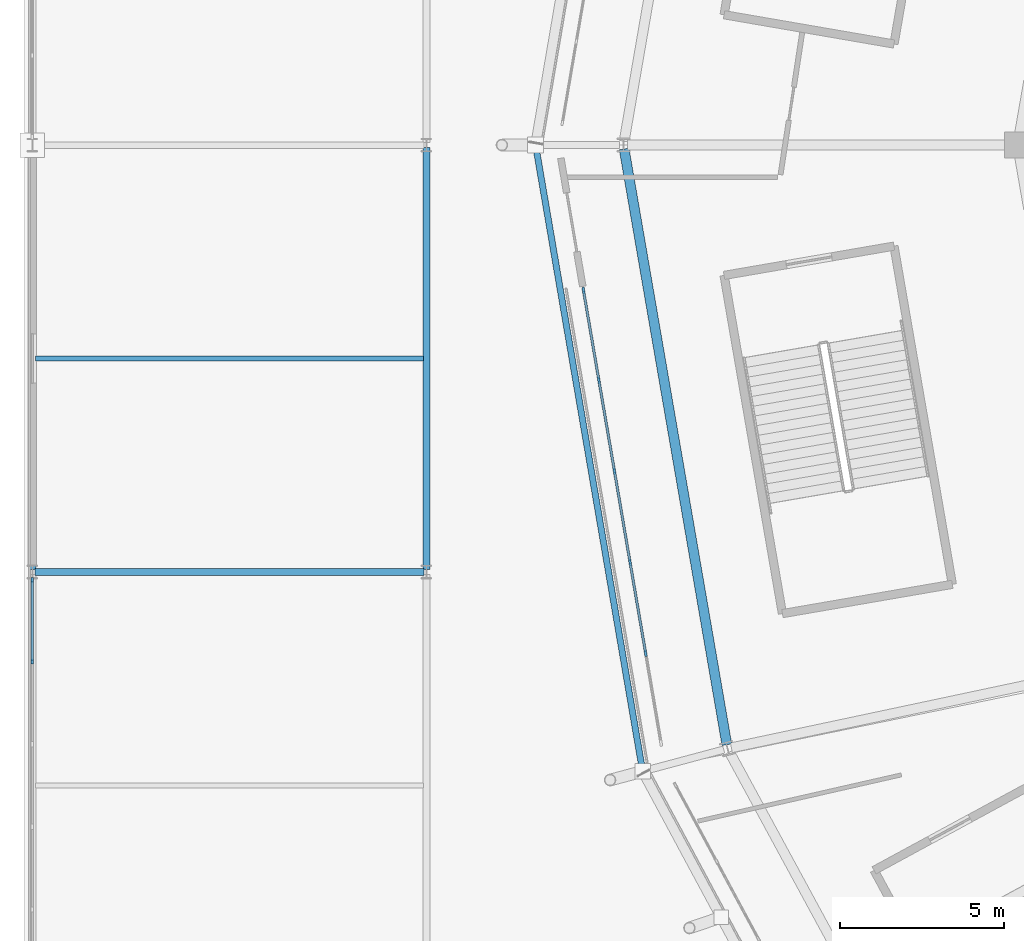
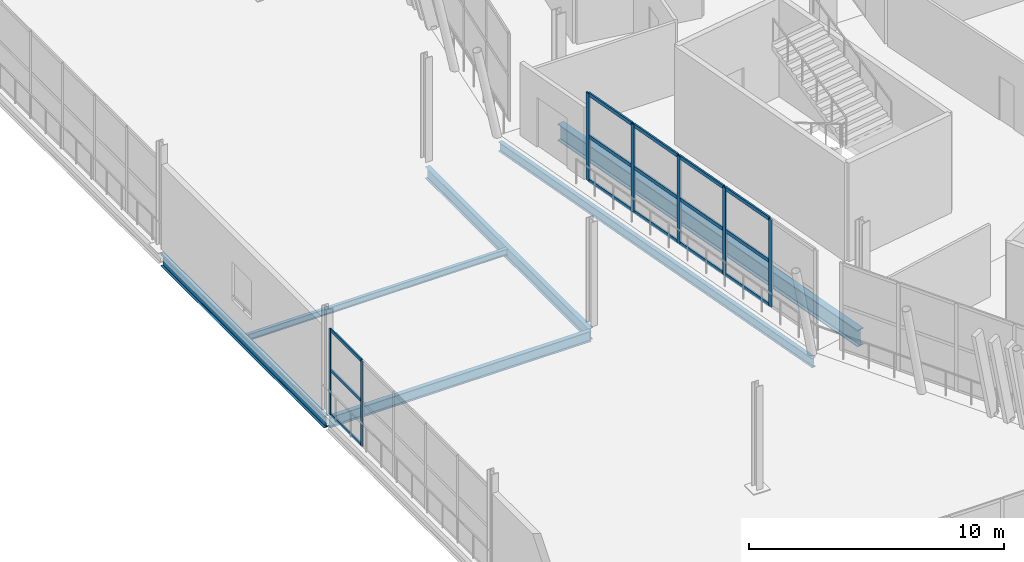
# One storey, part 39 of 179: 22 members, 6 beams, 2 elements without a shape of their own.
"""IFC4 building model written with IfcOpenShell, lengths in metres."""

import ifcopenshell
import ifcopenshell.guid

model = None  # the IFC model being written
_history = None  # IfcOwnerHistory: only IFC2X3 demands one
_inside = {}  # id of a spatial element -> (the spatial element, [elements in it])
_under = {}  # id of a project, library or spatial element -> (it, [spatial elements below it])
_declared = {}  # id of a project -> (the project, [libraries it declares])
_typed = {}  # id of a type object -> (the type object, [elements of that type])
_made_of = {}  # id of a material, layer set ... -> (it, [elements and type objects made of it])


def new_model(schema):
    """Start an empty IFC model of exactly this schema.

    Asked for "IFC4X3", IfcOpenShell would pick the latest addendum, in which some entities
    have other attributes; the version numbers below select the first issue.
    IFC2X3 requires an IfcOwnerHistory on every rooted entity: one is made here for all.
    """
    global model, _history
    if schema == "IFC4X3":
        model = ifcopenshell.file(schema_version=(4, 3, 0, 0))
    else:
        model = ifcopenshell.file(schema=schema)
    _inside.clear()
    _under.clear()
    _declared.clear()
    _typed.clear()
    _made_of.clear()
    _history = None
    if model.schema == "IFC2X3":
        org = make("IfcOrganization", Name="unknown")
        user = make(
            "IfcPersonAndOrganization",
            ThePerson=make("IfcPerson", FamilyName="unknown"),
            TheOrganization=org,
        )
        app = make(
            "IfcApplication",
            ApplicationDeveloper=org,
            Version="unknown",
            ApplicationFullName="unknown",
            ApplicationIdentifier="unknown",
        )
        _history = make(
            "IfcOwnerHistory",
            OwningUser=user,
            OwningApplication=app,
            ChangeAction="ADDED",
            CreationDate=0,
        )
    return model


def make(cls, **values):
    """One entity of the class cls with the attributes given. An attribute that is None is left unset."""
    return model.create_entity(
        cls, **{name: value for name, value in values.items() if value is not None}
    )


def rooted(cls, **values):
    """An entity with a GlobalId (a new one), such as an element, a storey or a relation."""
    return make(cls, GlobalId=ifcopenshell.guid.new(), OwnerHistory=_history, **values)


def si_unit(unit_type, name, prefix=None):
    """IfcSIUnit, for example si_unit("LENGTHUNIT", "METRE", prefix="MILLI")."""
    return make("IfcSIUnit", UnitType=unit_type, Prefix=prefix, Name=name)


def assignment(units):
    """IfcUnitAssignment: the units of a project."""
    return None if units is None else make("IfcUnitAssignment", Units=units)


def point(xyz):
    """IfcCartesianPoint."""
    return None if xyz is None else make("IfcCartesianPoint", Coordinates=xyz)


def direction(xyz):
    """IfcDirection."""
    return None if xyz is None else make("IfcDirection", DirectionRatios=xyz)


def frame(location, z_axis=None, x_axis=None):
    """IfcAxis2Placement3D, a coordinate frame: its origin and axes. An axis left out is left unset."""
    return make(
        "IfcAxis2Placement3D",
        Location=point(location),
        Axis=direction(z_axis),
        RefDirection=direction(x_axis),
    )


def frame_2d(location, x_axis=None):
    """IfcAxis2Placement2D, a coordinate frame in the plane: its origin and x axis."""
    return make(
        "IfcAxis2Placement2D", Location=point(location), RefDirection=direction(x_axis)
    )


def origin():
    """The frame at (0, 0, 0) with its axes left unset."""
    return frame((0.0, 0.0, 0.0))


def origin_2d():
    """The frame at (0, 0) in the plane with its x axis left unset."""
    return frame_2d((0.0, 0.0))


def place(relative_to, where):
    """IfcLocalPlacement: puts the frame where relative to a parent placement (None: the world)."""
    return make(
        "IfcLocalPlacement", PlacementRelTo=relative_to, RelativePlacement=where
    )


def context(
    kind, dimensions, precision=None, world=None, true_north=None, identifier=None
):
    """IfcGeometricRepresentationContext, for example the 3D "Model" context."""
    return make(
        "IfcGeometricRepresentationContext",
        ContextIdentifier=identifier,
        ContextType=kind,
        CoordinateSpaceDimension=dimensions,
        Precision=precision,
        WorldCoordinateSystem=world,
        TrueNorth=true_north,
    )


def subcontext(parent, identifier, kind, view, scale=None):
    """IfcGeometricRepresentationSubContext, for example "Body" below "Model"."""
    return make(
        "IfcGeometricRepresentationSubContext",
        ContextIdentifier=identifier,
        ContextType=kind,
        ParentContext=parent,
        TargetScale=scale,
        TargetView=view,
    )


def project(units=None, contexts=None):
    """IfcProject with its units and contexts."""
    return rooted(
        "IfcProject",
        Name="project",
        RepresentationContexts=contexts,
        UnitsInContext=assignment(units),
    )


def spatial(cls, under=None, at=None, **own):
    """A site, building, storey or space (cls), placed at a placement, below another one or the project."""
    s = rooted(cls, ObjectPlacement=at, **own)
    if under is not None:
        _under.setdefault(under.id(), (under, []))[1].append(s)
    return s


def profile(cls, at=None, kind="AREA", **sizes):
    """A parametric profile (cls). Its sizes go by their IFC names, for example OverallWidth=200.0."""
    return make(cls, ProfileType=kind, Position=at, **sizes)


def rectangle(**sizes):
    """IfcRectangleProfileDef."""
    return profile("IfcRectangleProfileDef", **sizes)


def i_section(**sizes):
    """IfcIShapeProfileDef."""
    return profile("IfcIShapeProfileDef", **sizes)


def extrude(swept, where, along, depth):
    """IfcExtrudedAreaSolid: the profile swept, set in the frame where, extruded along a direction by depth."""
    return make(
        "IfcExtrudedAreaSolid",
        SweptArea=swept,
        Position=where,
        ExtrudedDirection=direction(along),
        Depth=depth,
    )


def shape(context_of_items, identifier, shape_type, items):
    """IfcShapeRepresentation: the items that make up one representation, for example the "Body"."""
    return make(
        "IfcShapeRepresentation",
        ContextOfItems=context_of_items,
        RepresentationIdentifier=identifier,
        RepresentationType=shape_type,
        Items=items,
    )


def material(Name=None, Category=None):
    """IfcMaterial."""
    return make("IfcMaterial", Name=Name, Category=Category)


def material_profile(
    of_material, cross_section, Name=None, Category=None, Priority=None
):
    """IfcMaterialProfile: a cross section and its material."""
    return make(
        "IfcMaterialProfile",
        Name=Name,
        Material=of_material,
        Profile=cross_section,
        Priority=Priority,
        Category=Category,
    )


def profile_set(profiles, Name=None, composite=None):
    """IfcMaterialProfileSet."""
    return make(
        "IfcMaterialProfileSet",
        Name=Name,
        MaterialProfiles=profiles,
        CompositeProfile=composite,
    )


def made_of(thing, what):
    """Note that an element or type object is made of a material, layer set ...; save() writes the relation."""
    if what is not None:
        _made_of.setdefault(what.id(), (what, []))[1].append(thing)
    return thing


def type_object(cls, material=None, **own):
    """A type object (cls), such as IfcWallType, which elements share."""
    return made_of(rooted(cls, **own), material)


def element(
    cls,
    number,
    at=None,
    inside=None,
    cuts=None,
    type_object=None,
    material=None,
    context=None,
    identifier="Body",
    shape_type=None,
    held_by="IfcProductDefinitionShape",
    body=None,
    shapes=None,
    **own,
):
    """One element of the class cls, such as IfcWall. Its Tag is "e" and its number.

    at: its placement. inside: the storey or other place that contains it. cuts: it is an
    opening in that element (IfcRelVoidsElement). A single representation is given by context,
    identifier, shape_type and body (its items); several are given by shapes. held_by: the class
    of the entity that holds the representations. save() writes the other relations.
    """
    e = rooted(cls, Tag="e%d" % number, ObjectPlacement=at, **own)
    if body is not None:
        shapes = [shape(context, identifier, shape_type, body)]
    if shapes is not None:
        e.Representation = make(held_by, Representations=shapes)
    if inside is not None:
        _inside.setdefault(inside.id(), (inside, []))[1].append(e)
    if cuts is not None:
        rooted(
            "IfcRelVoidsElement", RelatingBuildingElement=cuts, RelatedOpeningElement=e
        )
    if type_object is not None:
        _typed.setdefault(type_object.id(), (type_object, []))[1].append(e)
    return made_of(e, material)


def aggregate(whole, parts):
    """IfcRelAggregates: a whole, such as a stair, and the parts it consists of."""
    return rooted("IfcRelAggregates", RelatingObject=whole, RelatedObjects=parts)


def save(model, path):
    """Write the relations noted so far, then the file.

    IfcRelAggregates (storeys below a building ...), IfcRelContainedInSpatialStructure (elements
    in a storey), IfcRelDefinesByType, IfcRelAssociatesMaterial and IfcRelDeclares: one each for
    every whole, place, type object, material and project.
    """
    for whole, parts in _under.values():
        aggregate(whole, parts)
    for where, things in _inside.values():
        rooted(
            "IfcRelContainedInSpatialStructure",
            RelatedElements=things,
            RelatingStructure=where,
        )
    for kind, things in _typed.values():
        rooted("IfcRelDefinesByType", RelatedObjects=things, RelatingType=kind)
    for what, things in _made_of.values():
        rooted("IfcRelAssociatesMaterial", RelatedObjects=things, RelatingMaterial=what)
    for by, libraries in _declared.values():
        rooted("IfcRelDeclares", RelatingContext=by, RelatedDefinitions=libraries)
    model.write(path)


model = new_model("IFC4")

# Units and contexts
model_context = context("Model", 3, precision=1e-05, world=origin(), true_north=direction((0.0, 1.0)))
body_context = subcontext(model_context, "Body", "Model", "MODEL_VIEW")
ifc_project = project(units=[si_unit("LENGTHUNIT", "METRE"), si_unit("AREAUNIT", "SQUARE_METRE"), si_unit("VOLUMEUNIT", "CUBIC_METRE"), si_unit("PLANEANGLEUNIT", "RADIAN"), si_unit("MASSUNIT", "GRAM", prefix="KILO")], contexts=[model_context])

# Site, building, storey
site_placement = place(None, origin())
site = spatial("IfcSite", under=ifc_project, at=site_placement, CompositionType="ELEMENT")
building_placement = place(site_placement, origin())
building = spatial("IfcBuilding", under=site, at=building_placement, Name="Zlatoyarsky Gate Stadium", CompositionType="ELEMENT")
storey_placement = place(building_placement, frame((0.0, 0.0, 10.60009765625)))
storey = spatial("IfcBuildingStorey", under=building, at=storey_placement, Name="L02", CompositionType="ELEMENT", Elevation=10.60009765625)

# Curtain wall, members
ifc_material_1 = material(Name="Thermally broken anodised aluminium curtain wall", Category="aluminium")
curtain_wall_type_1 = type_object("IfcCurtainWallType", Name="MONUMENTAL ARCHED GATE GLAZING UPPER", PredefinedType="USERDEFINED", material=ifc_material_1)
curtain_wall_1_placement = place(storey_placement, origin())
curtain_wall_1 = element("IfcCurtainWall", 1, at=curtain_wall_1_placement, inside=storey, type_object=curtain_wall_type_1, Name="Curtain wall CW-L02-12", ObjectType="ARCHED GATE GLAZING", PredefinedType="USERDEFINED")
ifc_material_2 = material(Name="Anodised aluminium 6063-T6", Category="aluminium")
ifc_material_profile_1 = material_profile(ifc_material_2, rectangle(XDim=0.074951171875, YDim=0.18994140625, at=origin_2d()), Name="ALU 75X190")
ifc_profile_set_1 = profile_set([ifc_material_profile_1], Name="Anodised aluminium 6063-T6")
member_type_1 = type_object("IfcMemberType", Name="ALUMINIUM GATE MULLION 75X190", PredefinedType="MULLION", material=ifc_profile_set_1)
member_1_placement = place(storey_placement, frame((16.781982421875, 75.576904296875, 0.0), z_axis=(0.0, 0.0, 1.0), x_axis=(0.985636901617, 0.168878353177, 0.0)))
member_1 = element("IfcMember", 2, at=member_1_placement, type_object=member_type_1, Name="CW-AG2 mullion 1", PredefinedType="MULLION", context=body_context, shape_type="SweptSolid", body=[
    extrude(rectangle(XDim=0.074951171875, YDim=0.18994140625, at=origin_2d()), origin(), (0.0, 0.0, 1.0), 4.199951171875),
])
member_2_placement = place(storey_placement, frame((17.25048828125, 72.841796875, 0.0), z_axis=(0.0, 0.0, 1.0), x_axis=(0.985636901617, 0.168878353177, 0.0)))
member_2 = element("IfcMember", 3, at=member_2_placement, type_object=member_type_1, Name="CW-AG2 mullion 2", PredefinedType="MULLION", context=body_context, shape_type="SweptSolid", body=[
    extrude(rectangle(XDim=0.074951171875, YDim=0.18994140625, at=origin_2d()), origin(), (0.0, 0.0, 1.0), 4.199951171875),
])
member_3_placement = place(storey_placement, frame((17.7255859375, 70.069580078125, 0.0), z_axis=(0.0, 0.0, 1.0), x_axis=(0.985636901617, 0.168878353177, 0.0)))
member_3 = element("IfcMember", 4, at=member_3_placement, type_object=member_type_1, Name="CW-AG2 mullion 3", PredefinedType="MULLION", context=body_context, shape_type="SweptSolid", body=[
    extrude(rectangle(XDim=0.074951171875, YDim=0.18994140625, at=origin_2d()), origin(), (0.0, 0.0, 1.0), 4.199951171875),
])
member_4_placement = place(storey_placement, frame((18.200439453125, 67.29736328125, 0.0), z_axis=(0.0, 0.0, 1.0), x_axis=(0.985636901617, 0.168878353177, 0.0)))
member_4 = element("IfcMember", 5, at=member_4_placement, type_object=member_type_1, Name="CW-AG2 mullion 4", PredefinedType="MULLION", context=body_context, shape_type="SweptSolid", body=[
    extrude(rectangle(XDim=0.074951171875, YDim=0.18994140625, at=origin_2d()), origin(), (0.0, 0.0, 1.0), 4.199951171875),
])
member_5_placement = place(storey_placement, frame((18.675537109375, 64.525146484375, 0.0), z_axis=(0.0, 0.0, 1.0), x_axis=(0.985636901617, 0.168878353177, 0.0)))
member_5 = element("IfcMember", 6, at=member_5_placement, type_object=member_type_1, Name="CW-AG2 mullion 5", PredefinedType="MULLION", context=body_context, shape_type="SweptSolid", body=[
    extrude(rectangle(XDim=0.074951171875, YDim=0.18994140625, at=origin_2d()), origin(), (0.0, 0.0, 1.0), 4.199951171875),
])
ifc_material_profile_2 = material_profile(ifc_material_2, rectangle(XDim=0.074951171875, YDim=0.169921875, at=origin_2d()), Name="ALU 75X170")
ifc_profile_set_2 = profile_set([ifc_material_profile_2], Name="Anodised aluminium 6063-T6")
member_type_2 = type_object("IfcMemberType", Name="ALUMINIUM GATE TRANSOM 75X170", PredefinedType="USERDEFINED", material=ifc_profile_set_2)
member_6_placement = place(storey_placement, frame((16.788330078125, 75.5400390625, 0.037353515625), z_axis=(0.168810726002, -0.985648486422, 0.0), x_axis=(0.985648486422, 0.168810726002, 0.0)))
member_6 = element("IfcMember", 7, at=member_6_placement, type_object=member_type_2, Name="CW-AG2 transom 1.1", ObjectType="TRANSOM", PredefinedType="USERDEFINED", context=body_context, shape_type="SweptSolid", body=[
    extrude(rectangle(XDim=0.074951171875, YDim=0.169921875, at=origin_2d()), origin(), (0.0, 0.0, 1.0), 2.7001953125),
])
member_7_placement = place(storey_placement, frame((16.788330078125, 75.5400390625, 2.14990234375), z_axis=(0.168810726002, -0.985648486422, 0.0), x_axis=(0.985648486422, 0.168810726002, 0.0)))
member_7 = element("IfcMember", 8, at=member_7_placement, type_object=member_type_2, Name="CW-AG2 transom 1.2", ObjectType="TRANSOM", PredefinedType="USERDEFINED", context=body_context, shape_type="SweptSolid", body=[
    extrude(rectangle(XDim=0.074951171875, YDim=0.169921875, at=origin_2d()), origin(), (0.0, 0.0, 1.0), 2.7001953125),
])
member_8_placement = place(storey_placement, frame((16.788330078125, 75.5400390625, 4.162353515625), z_axis=(0.168810726002, -0.985648486422, 0.0), x_axis=(0.985648486422, 0.168810726002, 0.0)))
member_8 = element("IfcMember", 9, at=member_8_placement, type_object=member_type_2, Name="CW-AG2 transom 1.3", ObjectType="TRANSOM", PredefinedType="USERDEFINED", context=body_context, shape_type="SweptSolid", body=[
    extrude(rectangle(XDim=0.074951171875, YDim=0.169921875, at=origin_2d()), origin(), (0.0, 0.0, 1.0), 2.7001953125),
])
member_9_placement = place(storey_placement, frame((17.2568359375, 72.8046875, 0.037353515625), z_axis=(0.168909358397, -0.985631588701, 0.0), x_axis=(0.985631588701, 0.168909358397, 0.0)))
member_9 = element("IfcMember", 10, at=member_9_placement, type_object=member_type_2, Name="CW-AG2 transom 2.1", ObjectType="TRANSOM", PredefinedType="USERDEFINED", context=body_context, shape_type="SweptSolid", body=[
    extrude(rectangle(XDim=0.074951171875, YDim=0.169921875, at=origin_2d()), origin(), (0.0, 0.0, 1.0), 2.737548828125),
])
member_10_placement = place(storey_placement, frame((17.2568359375, 72.8046875, 2.14990234375), z_axis=(0.168909358397, -0.985631588701, 0.0), x_axis=(0.985631588701, 0.168909358397, 0.0)))
member_10 = element("IfcMember", 11, at=member_10_placement, type_object=member_type_2, Name="CW-AG2 transom 2.2", ObjectType="TRANSOM", PredefinedType="USERDEFINED", context=body_context, shape_type="SweptSolid", body=[
    extrude(rectangle(XDim=0.074951171875, YDim=0.169921875, at=origin_2d()), origin(), (0.0, 0.0, 1.0), 2.737548828125),
])
member_11_placement = place(storey_placement, frame((17.2568359375, 72.8046875, 4.162353515625), z_axis=(0.168909358397, -0.985631588701, 0.0), x_axis=(0.985631588701, 0.168909358397, 0.0)))
member_11 = element("IfcMember", 12, at=member_11_placement, type_object=member_type_2, Name="CW-AG2 transom 2.3", ObjectType="TRANSOM", PredefinedType="USERDEFINED", context=body_context, shape_type="SweptSolid", body=[
    extrude(rectangle(XDim=0.074951171875, YDim=0.169921875, at=origin_2d()), origin(), (0.0, 0.0, 1.0), 2.737548828125),
])
member_12_placement = place(storey_placement, frame((17.73193359375, 70.03271484375, 0.037353515625), z_axis=(0.168822719527, -0.985646432232, 0.0), x_axis=(0.985646432232, 0.168822719527, 0.0)))
member_12 = element("IfcMember", 13, at=member_12_placement, type_object=member_type_2, Name="CW-AG2 transom 3.1", ObjectType="TRANSOM", PredefinedType="USERDEFINED", context=body_context, shape_type="SweptSolid", body=[
    extrude(rectangle(XDim=0.074951171875, YDim=0.169921875, at=origin_2d()), origin(), (0.0, 0.0, 1.0), 2.737548828125),
])
member_13_placement = place(storey_placement, frame((17.73193359375, 70.03271484375, 2.14990234375), z_axis=(0.168822719527, -0.985646432232, 0.0), x_axis=(0.985646432232, 0.168822719527, 0.0)))
member_13 = element("IfcMember", 14, at=member_13_placement, type_object=member_type_2, Name="CW-AG2 transom 3.2", ObjectType="TRANSOM", PredefinedType="USERDEFINED", context=body_context, shape_type="SweptSolid", body=[
    extrude(rectangle(XDim=0.074951171875, YDim=0.169921875, at=origin_2d()), origin(), (0.0, 0.0, 1.0), 2.737548828125),
])
member_14_placement = place(storey_placement, frame((17.73193359375, 70.03271484375, 4.162353515625), z_axis=(0.168822719527, -0.985646432232, 0.0), x_axis=(0.985646432232, 0.168822719527, 0.0)))
member_14 = element("IfcMember", 15, at=member_14_placement, type_object=member_type_2, Name="CW-AG2 transom 3.3", ObjectType="TRANSOM", PredefinedType="USERDEFINED", context=body_context, shape_type="SweptSolid", body=[
    extrude(rectangle(XDim=0.074951171875, YDim=0.169921875, at=origin_2d()), origin(), (0.0, 0.0, 1.0), 2.737548828125),
])
member_15_placement = place(storey_placement, frame((18.206787109375, 67.260498046875, 0.037353515625), z_axis=(0.168909358397, -0.985631588701, 0.0), x_axis=(0.985631588701, 0.168909358397, 0.0)))
member_15 = element("IfcMember", 16, at=member_15_placement, type_object=member_type_2, Name="CW-AG2 transom 4.1", ObjectType="TRANSOM", PredefinedType="USERDEFINED", context=body_context, shape_type="SweptSolid", body=[
    extrude(rectangle(XDim=0.074951171875, YDim=0.169921875, at=origin_2d()), origin(), (0.0, 0.0, 1.0), 2.737548828125),
])
member_16_placement = place(storey_placement, frame((18.206787109375, 67.260498046875, 2.14990234375), z_axis=(0.168909358397, -0.985631588701, 0.0), x_axis=(0.985631588701, 0.168909358397, 0.0)))
member_16 = element("IfcMember", 17, at=member_16_placement, type_object=member_type_2, Name="CW-AG2 transom 4.2", ObjectType="TRANSOM", PredefinedType="USERDEFINED", context=body_context, shape_type="SweptSolid", body=[
    extrude(rectangle(XDim=0.074951171875, YDim=0.169921875, at=origin_2d()), origin(), (0.0, 0.0, 1.0), 2.737548828125),
])
member_17_placement = place(storey_placement, frame((18.206787109375, 67.260498046875, 4.162353515625), z_axis=(0.168909358397, -0.985631588701, 0.0), x_axis=(0.985631588701, 0.168909358397, 0.0)))
member_17 = element("IfcMember", 18, at=member_17_placement, type_object=member_type_2, Name="CW-AG2 transom 4.3", ObjectType="TRANSOM", PredefinedType="USERDEFINED", context=body_context, shape_type="SweptSolid", body=[
    extrude(rectangle(XDim=0.074951171875, YDim=0.169921875, at=origin_2d()), origin(), (0.0, 0.0, 1.0), 2.737548828125),
])
aggregate(curtain_wall_1, [member_1, member_2, member_3, member_4, member_5, member_6, member_7, member_8, member_9, member_10, member_11, member_12, member_13, member_14, member_15, member_16, member_17])

curtain_wall_type_2 = type_object("IfcCurtainWallType", Name="WINTER GARDEN CONSERVATORY GLAZING", PredefinedType="USERDEFINED", material=ifc_material_1)
curtain_wall_2_placement = place(storey_placement, origin())
curtain_wall_2 = element("IfcCurtainWall", 19, at=curtain_wall_2_placement, inside=storey, type_object=curtain_wall_type_2, Name="Curtain wall CW-V4_WEST-L02-168", ObjectType="UNITISED GLAZING", PredefinedType="USERDEFINED")
ifc_material_profile_3 = material_profile(ifc_material_2, rectangle(XDim=0.06494140625, YDim=0.159912109375, at=origin_2d()), Name="ALU 65X160")
ifc_profile_set_3 = profile_set([ifc_material_profile_3], Name="Anodised aluminium 6063-T6")
member_type_3 = type_object("IfcMemberType", Name="ALUMINIUM MULLION 65X160", PredefinedType="MULLION", material=ifc_profile_set_3)
member_18_placement = place(storey_placement, frame((0.0, 64.272705078125, 0.0), z_axis=(0.0, 0.0, 1.0), x_axis=(-1.0, 0.0, 0.0)))
member_18 = element("IfcMember", 20, at=member_18_placement, type_object=member_type_3, Name="CW-WG1 mullion 5", PredefinedType="MULLION", context=body_context, shape_type="SweptSolid", body=[
    extrude(rectangle(XDim=0.06494140625, YDim=0.159912109375, at=origin_2d()), origin(), (0.0, 0.0, 1.0), 4.099853515625),
])
member_19_placement = place(storey_placement, frame((0.0, 66.755615234375, 0.0), z_axis=(0.0, 0.0, 1.0), x_axis=(-1.0, 0.0, 0.0)))
member_19 = element("IfcMember", 21, at=member_19_placement, type_object=member_type_3, Name="CW-WG1 mullion 6", PredefinedType="MULLION", context=body_context, shape_type="SweptSolid", body=[
    extrude(rectangle(XDim=0.06494140625, YDim=0.159912109375, at=origin_2d()), origin(), (0.0, 0.0, 1.0), 4.099853515625),
])
ifc_material_profile_4 = material_profile(ifc_material_2, rectangle(XDim=0.06494140625, YDim=0.139892578125, at=origin_2d()), Name="ALU 65X140")
ifc_profile_set_4 = profile_set([ifc_material_profile_4], Name="Anodised aluminium 6063-T6")
member_type_4 = type_object("IfcMemberType", Name="ALUMINIUM TRANSOM 65X140", PredefinedType="USERDEFINED", material=ifc_profile_set_4)
member_20_placement = place(storey_placement, frame((0.0, 64.305419921875, 0.032470703125), z_axis=(0.0, 1.0, 0.0), x_axis=(-1.0, 0.0, 0.0)))
member_20 = element("IfcMember", 22, at=member_20_placement, type_object=member_type_4, Name="CW-WG1 transom 5.1", ObjectType="TRANSOM", PredefinedType="USERDEFINED", context=body_context, shape_type="SweptSolid", body=[
    extrude(rectangle(XDim=0.06494140625, YDim=0.139892578125, at=origin_2d()), origin(), (0.0, 0.0, 1.0), 2.41748046875),
])
member_21_placement = place(storey_placement, frame((0.0, 64.305419921875, 2.14990234375), z_axis=(0.0, 1.0, 0.0), x_axis=(-1.0, 0.0, 0.0)))
member_21 = element("IfcMember", 23, at=member_21_placement, type_object=member_type_4, Name="CW-WG1 transom 5.2", ObjectType="TRANSOM", PredefinedType="USERDEFINED", context=body_context, shape_type="SweptSolid", body=[
    extrude(rectangle(XDim=0.06494140625, YDim=0.139892578125, at=origin_2d()), origin(), (0.0, 0.0, 1.0), 2.41748046875),
])
member_22_placement = place(storey_placement, frame((0.0, 64.305419921875, 4.0673828125), z_axis=(0.0, 1.0, 0.0), x_axis=(-1.0, 0.0, 0.0)))
member_22 = element("IfcMember", 24, at=member_22_placement, type_object=member_type_4, Name="CW-WG1 transom 5.3", ObjectType="TRANSOM", PredefinedType="USERDEFINED", context=body_context, shape_type="SweptSolid", body=[
    extrude(rectangle(XDim=0.06494140625, YDim=0.139892578125, at=origin_2d()), origin(), (0.0, 0.0, 1.0), 2.41748046875),
])
aggregate(curtain_wall_2, [member_18, member_19, member_20, member_21, member_22])

# Beams
ifc_material_3 = material(Name="Steel S355", Category="steel")
ifc_material_profile_5 = material_profile(ifc_material_3, i_section(OverallWidth=0.18994140625, OverallDepth=0.449951171875, WebThickness=0.009521484375, FlangeThickness=0.0146484375, FilletRadius=0.02099609375, at=origin_2d()), Name="IPE 450")
ifc_profile_set_5 = profile_set([ifc_material_profile_5], Name="Steel S355")
beam_type_1 = type_object("IfcBeamType", Name="STEEL EDGE SPANDREL IPE 450", PredefinedType="SPANDREL", material=ifc_profile_set_5)
beam_1_placement = place(storey_placement, frame((15.327392578125, 79.980224609375, -0.505126953125), z_axis=(0.168523637313, -0.985697612692, 0.0), x_axis=(0.985697612692, 0.168523637313, 0.0)))
element("IfcBeam", 25, at=beam_1_placement, inside=storey, type_object=beam_type_1, Name="Beam SP-IPE450 BM-L02-SPD-12", PredefinedType="SPANDREL", context=body_context, shape_type="SweptSolid", body=[
    extrude(i_section(OverallWidth=0.18994140625, OverallDepth=0.449951171875, WebThickness=0.009521484375, FlangeThickness=0.0146484375, FilletRadius=0.02099609375, at=origin_2d()), origin(), (0.0, 0.0, 1.0), 19.305419921875),
])
ifc_material_profile_6 = material_profile(ifc_material_3, i_section(OverallWidth=0.199951171875, OverallDepth=0.5, WebThickness=0.01025390625, FlangeThickness=0.01611328125, FilletRadius=0.02099609375, at=origin_2d()), Name="IPE 500")
ifc_profile_set_6 = profile_set([ifc_material_profile_6], Name="Steel S355")
beam_type_2 = type_object("IfcBeamType", Name="STEEL FLOOR BEAM IPE 500", PredefinedType="BEAM", material=ifc_profile_set_6)
beam_2_placement = place(storey_placement, frame((0.080078125, 67.0, -0.530029296875), z_axis=(1.0, 0.0, 0.0), x_axis=(0.0, 1.0, 0.0)))
element("IfcBeam", 26, at=beam_2_placement, inside=storey, type_object=beam_type_2, Name="Beam B-IPE500 BM-L02-WGX-1-G", PredefinedType="BEAM", context=body_context, shape_type="SweptSolid", body=[
    extrude(i_section(OverallWidth=0.199951171875, OverallDepth=0.5, WebThickness=0.01025390625, FlangeThickness=0.01611328125, FilletRadius=0.02099609375, at=origin_2d()), origin(), (0.0, 0.0, 1.0), 11.83984375),
])
ifc_material_profile_7 = material_profile(ifc_material_3, i_section(OverallWidth=0.2099609375, OverallDepth=0.550048828125, WebThickness=0.010986328125, FlangeThickness=0.01708984375, FilletRadius=0.02392578125, at=origin_2d()), Name="IPE 550")
ifc_profile_set_7 = profile_set([ifc_material_profile_7], Name="Steel S355")
beam_type_3 = type_object("IfcBeamType", Name="STEEL FLOOR BEAM IPE 550", PredefinedType="BEAM", material=ifc_profile_set_7)
for number, where, z_axis, x_axis, name in (
    (27, (0.0, 67.080078125, -0.55517578125), (0.0, 1.0, 0.0), (-1.0, 0.0, 0.0), "Beam B-IPE550 BM-L02-WGY-1-G"),
    (28, (12.0, 67.080078125, -0.55517578125), (0.0, 1.0, 0.0), (-1.0, 0.0, 0.0), "Beam B-IPE550 BM-L02-WGY-2-G"),
):
    element("IfcBeam", number, at=place(storey_placement, frame(where, z_axis=z_axis, x_axis=x_axis)), inside=storey, type_object=beam_type_3, Name=name, PredefinedType="BEAM", context=body_context, shape_type="SweptSolid", body=[
        extrude(i_section(OverallWidth=0.2099609375, OverallDepth=0.550048828125, WebThickness=0.010986328125, FlangeThickness=0.01708984375, FilletRadius=0.02392578125, at=origin_2d()), origin(), (0.0, 0.0, 1.0), 12.83984375),
    ])
ifc_material_profile_8 = material_profile(ifc_material_3, i_section(OverallWidth=0.300048828125, OverallDepth=0.800048828125, WebThickness=0.017578125, FlangeThickness=0.032958984375, FilletRadius=0.030029296875, at=origin_2d()), Name="HEB 800")
ifc_profile_set_8 = profile_set([ifc_material_profile_8], Name="Steel S355")
beam_type_4 = type_object("IfcBeamType", Name="STEEL PRIMARY GIRDER HEB 800", PredefinedType="BEAM", material=ifc_profile_set_8)
beam_3_placement = place(storey_placement, frame((18.0205078125, 79.881591796875, -0.68017578125), z_axis=(0.169930456666, -0.985456056807, 0.0), x_axis=(0.985456056807, 0.169930456666, 0.0)))
element("IfcBeam", 29, at=beam_3_placement, inside=storey, type_object=beam_type_4, Name="Beam G-HEB800 BM-L02-CRC-12", PredefinedType="BEAM", context=body_context, shape_type="SweptSolid", body=[
    extrude(i_section(OverallWidth=0.300048828125, OverallDepth=0.800048828125, WebThickness=0.017578125, FlangeThickness=0.032958984375, FilletRadius=0.030029296875, at=origin_2d()), origin(), (0.0, 0.0, 1.0), 18.4072265625),
])
ifc_material_profile_9 = material_profile(ifc_material_3, i_section(OverallWidth=0.14990234375, OverallDepth=0.300048828125, WebThickness=0.007080078125, FlangeThickness=0.0107421875, FilletRadius=0.014892578125, at=origin_2d()), Name="IPE 300")
ifc_profile_set_9 = profile_set([ifc_material_profile_9], Name="Steel S355")
beam_type_5 = type_object("IfcBeamType", Name="STEEL SECONDARY JOIST IPE 300", PredefinedType="JOIST", material=ifc_profile_set_9)
beam_4_placement = place(storey_placement, frame((0.090087890625, 73.5, -0.43017578125), z_axis=(1.0, 0.0, 0.0), x_axis=(0.0, 1.0, 0.0)))
element("IfcBeam", 30, at=beam_4_placement, inside=storey, type_object=beam_type_5, Name="Beam J-IPE300 JST-L02-1-G", PredefinedType="JOIST", context=body_context, shape_type="SweptSolid", body=[
    extrude(i_section(OverallWidth=0.14990234375, OverallDepth=0.300048828125, WebThickness=0.007080078125, FlangeThickness=0.0107421875, FilletRadius=0.014892578125, at=origin_2d()), origin(), (0.0, 0.0, 1.0), 11.81982421875),
])

save(model, "model.ifc")
